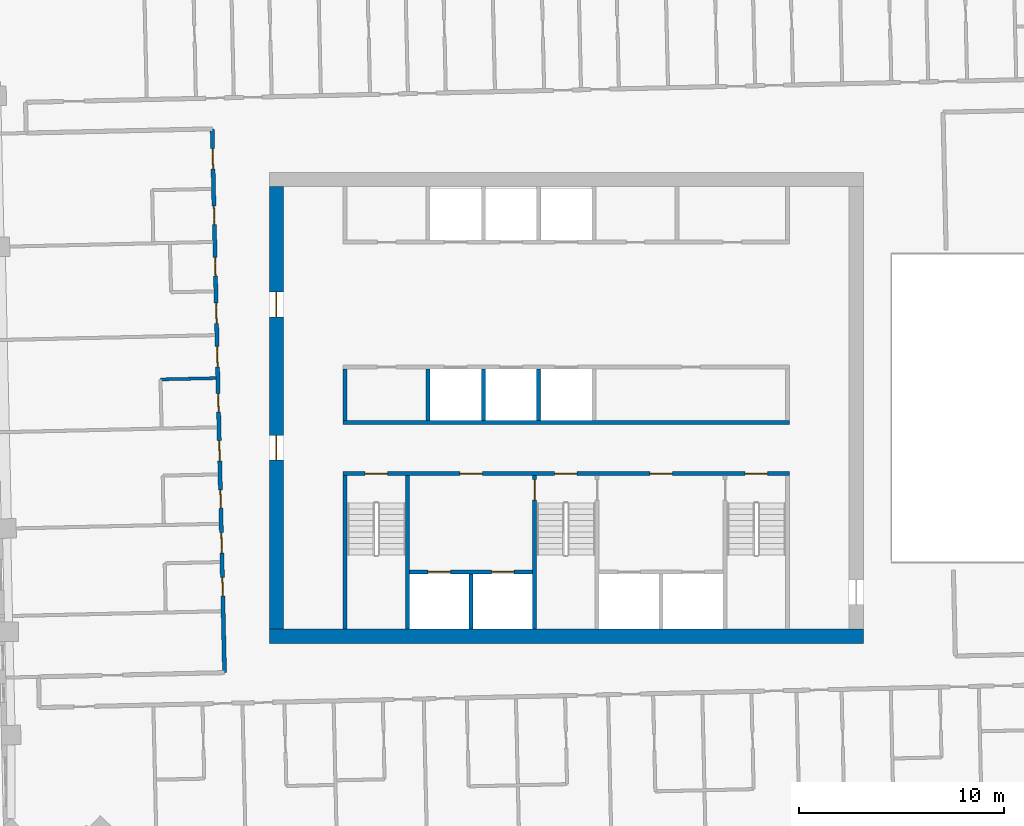
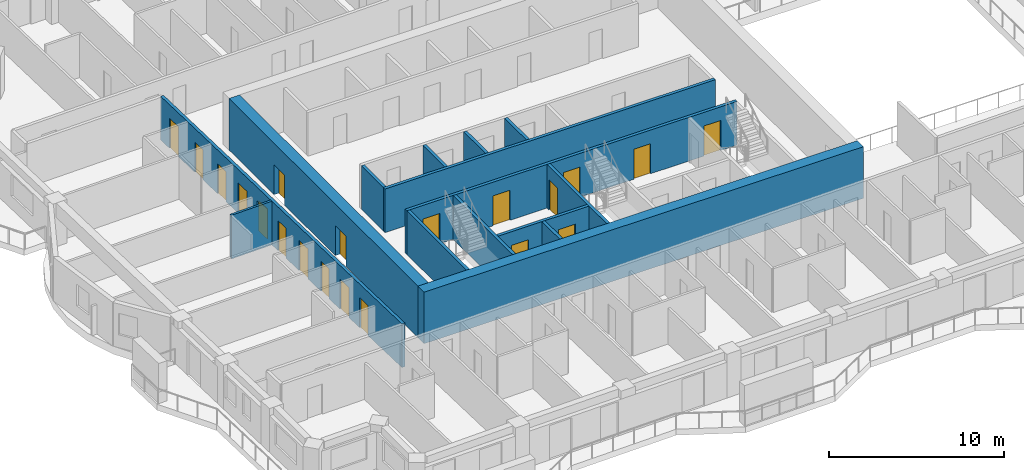
# One storey, part 9 of 19: 20 doors, 15 walls, 20 openings.
"""IFC4 building model written with IfcOpenShell, lengths in metres."""

from ifc_helpers import new_model, si_unit, direction, frame, frame_2d, origin, place, context, subcontext, project, spatial, rectangle, extrude, material, layer, layer_set, type_object, element, fill, save


model = new_model("IFC4")

# Units and contexts
model_context = context("Model", 3, precision=1e-05, world=origin(), true_north=direction((0.0, 1.0)))
body_context = subcontext(model_context, "Body", "Model", "MODEL_VIEW")
ifc_project = project(units=[si_unit("LENGTHUNIT", "METRE"), si_unit("AREAUNIT", "SQUARE_METRE"), si_unit("VOLUMEUNIT", "CUBIC_METRE"), si_unit("PLANEANGLEUNIT", "RADIAN"), si_unit("MASSUNIT", "GRAM", prefix="KILO")], contexts=[model_context])

# Site, building, storey
site_placement = place(None, origin())
site = spatial("IfcSite", under=ifc_project, at=site_placement, CompositionType="ELEMENT")
building_placement = place(site_placement, origin())
building = spatial("IfcBuilding", under=site, at=building_placement, Name="Mangrove Gate Tower", CompositionType="ELEMENT")
storey_placement = place(building_placement, frame((0.0, 0.0, 297.89990234375)))
storey = spatial("IfcBuildingStorey", under=building, at=storey_placement, Name="L76", CompositionType="ELEMENT", Elevation=297.89990234375)

# Walls
ifc_material_1 = material(Name="Concrete C32/40", Category="concrete")
ifc_layer_1 = layer(ifc_material_1, 0.199951171875)
ifc_layer_set_1 = layer_set([ifc_layer_1], Name="Core room wall 200 C32/40")
wall_type_1 = type_object("IfcWallType", Name="Core room wall 200 C32/40", PredefinedType="STANDARD", material=ifc_layer_set_1)
wall_1_placement = place(storey_placement, frame((-10.800048828125, -0.60009765625, 0.0), z_axis=(0.0, 0.0, 1.0), x_axis=(0.0, 1.0, 0.0)))
element("IfcWall", 1, at=wall_1_placement, inside=storey, type_object=wall_type_1, Name="WALL-L76-CORE-19", PredefinedType="STANDARD", context=body_context, shape_type="SweptSolid", body=[
    extrude(rectangle(XDim=2.5, YDim=0.199951171875, at=frame_2d((1.25, 0.0))), origin(), (0.0, 0.0, 1.0), 3.050048828125),
])
ifc_material_2 = material(Name="Concrete C50/60", Category="concrete")
ifc_layer_2 = layer(ifc_material_2, 0.199951171875)
ifc_layer_set_2 = layer_set([ifc_layer_2], Name="Core shaft wall 200 C50/60")
wall_type_2 = type_object("IfcWallType", Name="Core shaft wall 200 C50/60", PredefinedType="SHEAR", material=ifc_layer_set_2)
wall_2_placement = place(storey_placement, frame((-10.89990234375, -0.699951171875, 0.0), z_axis=(0.0, 0.0, 1.0), x_axis=(1.0, 0.0, 0.0)))
element("IfcWall", 2, at=wall_2_placement, inside=storey, type_object=wall_type_2, Name="WALL-L76-CORE-6", PredefinedType="SHEAR", context=body_context, shape_type="SweptSolid", body=[
    extrude(rectangle(XDim=21.7998046875, YDim=0.199951171875, at=frame_2d((10.89990234375, 0.0))), origin(), (0.0, 0.0, 1.0), 3.050048828125),
])

# Wall, openings, doors
wall_3_placement = place(storey_placement, frame((-7.64990234375, -8.0, 0.0), z_axis=(0.0, 0.0, 1.0), x_axis=(1.0, 0.0, 0.0)))
wall_3 = element("IfcWall", 3, at=wall_3_placement, inside=storey, type_object=wall_type_2, Name="WALL-L76-CORE-15", PredefinedType="SHEAR", context=body_context, shape_type="SweptSolid", body=[
    extrude(rectangle(XDim=6.0, YDim=0.199951171875, at=frame_2d((3.0, 0.0))), origin(), (0.0, 0.0, 1.0), 3.050048828125),
])
opening_1_placement = place(wall_3_placement, frame((0.89990234375, 0.0, 0.0)))
opening_1 = element("IfcOpeningElement", 4, at=opening_1_placement, cuts=wall_3, Name="Opening LD", PredefinedType="OPENING", context=body_context, shape_type="SweptSolid", body=[
    extrude(rectangle(XDim=1.10009765625, YDim=2.10009765625, at=frame_2d((0.550048828125, 1.050048828125))), frame((0.0, 0.10986328125, 0.0), z_axis=(0.0, -1.0, 0.0), x_axis=(1.0, 0.0, 0.0)), (0.0, 0.0, 1.0), 0.219970703125),
])
opening_2_placement = place(wall_3_placement, frame((4.0, 0.0, 0.0)))
opening_2 = element("IfcOpeningElement", 5, at=opening_2_placement, cuts=wall_3, Name="Opening LD", PredefinedType="OPENING", context=body_context, shape_type="SweptSolid", body=[
    extrude(rectangle(XDim=1.10009765625, YDim=2.10009765625, at=frame_2d((0.550048828125, 1.050048828125))), frame((0.0, 0.10986328125, 0.0), z_axis=(0.0, -1.0, 0.0), x_axis=(1.0, 0.0, 0.0)), (0.0, 0.0, 1.0), 0.219970703125),
])
ifc_material_3 = material(Name="Stainless steel 316", Category="steel")
door_type_1 = type_object("IfcDoorType", Name="Lift landing door 1100x2100", OperationType="SLIDING_TO_LEFT", PredefinedType="DOOR", material=ifc_material_3)
door_1_placement = place(opening_1_placement, origin())
door_1 = element("IfcDoor", 6, at=door_1_placement, inside=storey, type_object=door_type_1, Name="Landing door LD SVL1", OperationType="SLIDING_TO_LEFT", OverallHeight=2.10009765625, OverallWidth=1.10009765625, PredefinedType="DOOR", context=body_context, shape_type="SweptSolid", body=[
    extrude(rectangle(XDim=1.10009765625, YDim=2.10009765625, at=frame_2d((0.550048828125, 1.050048828125))), frame((0.0, 0.02490234375, 0.0), z_axis=(0.0, -1.0, 0.0), x_axis=(1.0, 0.0, 0.0)), (0.0, 0.0, 1.0), 0.050048828125),
])
fill(opening_1, door_1)
door_2_placement = place(opening_2_placement, origin())
door_2 = element("IfcDoor", 7, at=door_2_placement, inside=storey, type_object=door_type_1, Name="Landing door LD SVL2", OperationType="SLIDING_TO_LEFT", OverallHeight=2.10009765625, OverallWidth=1.10009765625, PredefinedType="DOOR", context=body_context, shape_type="SweptSolid", body=[
    extrude(rectangle(XDim=1.10009765625, YDim=2.10009765625, at=frame_2d((0.550048828125, 1.050048828125))), frame((0.0, 0.02490234375, 0.0), z_axis=(0.0, -1.0, 0.0), x_axis=(1.0, 0.0, 0.0)), (0.0, 0.0, 1.0), 0.050048828125),
])
fill(opening_2, door_2)

# Walls
wall_4_placement = place(storey_placement, frame((-4.64990234375, -10.800048828125, 0.0), z_axis=(0.0, 0.0, 1.0), x_axis=(0.0, 1.0, 0.0)))
element("IfcWall", 8, at=wall_4_placement, inside=storey, type_object=wall_type_2, Name="WALL-L76-CORE-16", PredefinedType="SHEAR", context=body_context, shape_type="SweptSolid", body=[
    extrude(rectangle(XDim=2.699951171875, YDim=0.199951171875, at=frame_2d((1.35009765625, 0.0))), origin(), (0.0, 0.0, 1.0), 3.050048828125),
])
for number, where, z_axis, x_axis, name in (
    (9, (-6.75, -0.60009765625, 0.0), (0.0, 0.0, 1.0), (0.0, 1.0, 0.0), "WALL-L76-CORE-20"),
    (10, (-4.050048828125, -0.60009765625, 0.0), (0.0, 0.0, 1.0), (0.0, 1.0, 0.0), "WALL-L76-CORE-21"),
    (11, (-1.35009765625, -0.60009765625, 0.0), (0.0, 0.0, 1.0), (0.0, 1.0, 0.0), "WALL-L76-CORE-22"),
):
    element("IfcWall", number, at=place(storey_placement, frame(where, z_axis=z_axis, x_axis=x_axis)), inside=storey, type_object=wall_type_2, Name=name, PredefinedType="SHEAR", context=body_context, shape_type="SweptSolid", body=[
        extrude(rectangle(XDim=2.5, YDim=0.199951171875, at=frame_2d((1.25, 0.0))), origin(), (0.0, 0.0, 1.0), 3.050048828125),
    ])

# Wall, openings, doors
ifc_material_4 = material(Name="Concrete C50/60", Category="concrete")
ifc_layer_3 = layer(ifc_material_4, 0.199951171875)
ifc_layer_set_3 = layer_set([ifc_layer_3], Name="Core stair wall 200 C50/60")
wall_type_3 = type_object("IfcWallType", Name="Core stair wall 200 C50/60", PredefinedType="SHEAR", material=ifc_layer_set_3)
wall_5_placement = place(storey_placement, frame((-10.89990234375, -3.199951171875, 0.0), z_axis=(0.0, 0.0, 1.0), x_axis=(1.0, 0.0, 0.0)))
wall_5 = element("IfcWall", 12, at=wall_5_placement, inside=storey, type_object=wall_type_3, Name="WALL-L76-CORE-5", PredefinedType="SHEAR", context=body_context, shape_type="SweptSolid", body=[
    extrude(rectangle(XDim=21.7998046875, YDim=0.199951171875, at=frame_2d((10.89990234375, 0.0))), origin(), (0.0, 0.0, 1.0), 3.050048828125),
])
opening_3_placement = place(wall_5_placement, frame((1.074951171875, 0.0, 0.0)))
opening_3 = element("IfcOpeningElement", 13, at=opening_3_placement, cuts=wall_5, Name="Opening STD11", PredefinedType="OPENING", context=body_context, shape_type="SweptSolid", body=[
    extrude(rectangle(XDim=1.10009765625, YDim=2.10009765625, at=frame_2d((0.550048828125, 1.050048828125))), frame((0.0, 0.10986328125, 0.0), z_axis=(0.0, -1.0, 0.0), x_axis=(1.0, 0.0, 0.0)), (0.0, 0.0, 1.0), 0.219970703125),
])
opening_4_placement = place(wall_5_placement, frame((10.324951171875, 0.0, 0.0)))
opening_4 = element("IfcOpeningElement", 14, at=opening_4_placement, cuts=wall_5, Name="Opening STD11", PredefinedType="OPENING", context=body_context, shape_type="SweptSolid", body=[
    extrude(rectangle(XDim=1.10009765625, YDim=2.10009765625, at=frame_2d((0.550048828125, 1.050048828125))), frame((0.0, 0.10986328125, 0.0), z_axis=(0.0, -1.0, 0.0), x_axis=(1.0, 0.0, 0.0)), (0.0, 0.0, 1.0), 0.219970703125),
])
opening_5_placement = place(wall_5_placement, frame((19.625, 0.0, 0.0)))
opening_5 = element("IfcOpeningElement", 15, at=opening_5_placement, cuts=wall_5, Name="Opening STD11", PredefinedType="OPENING", context=body_context, shape_type="SweptSolid", body=[
    extrude(rectangle(XDim=1.10009765625, YDim=2.10009765625, at=frame_2d((0.550048828125, 1.050048828125))), frame((0.0, 0.10986328125, 0.0), z_axis=(0.0, -1.0, 0.0), x_axis=(1.0, 0.0, 0.0)), (0.0, 0.0, 1.0), 0.219970703125),
])
opening_6_placement = place(wall_5_placement, frame((5.699951171875, 0.0, 0.0)))
opening_6 = element("IfcOpeningElement", 16, at=opening_6_placement, cuts=wall_5, Name="Opening FL", PredefinedType="OPENING", context=body_context, shape_type="SweptSolid", body=[
    extrude(rectangle(XDim=1.10009765625, YDim=2.10009765625, at=frame_2d((0.550048828125, 1.050048828125))), frame((0.0, 0.10986328125, 0.0), z_axis=(0.0, -1.0, 0.0), x_axis=(1.0, 0.0, 0.0)), (0.0, 0.0, 1.0), 0.219970703125),
])
opening_7_placement = place(wall_5_placement, frame((14.97509765625, 0.0, 0.0)))
opening_7 = element("IfcOpeningElement", 17, at=opening_7_placement, cuts=wall_5, Name="Opening FL", PredefinedType="OPENING", context=body_context, shape_type="SweptSolid", body=[
    extrude(rectangle(XDim=1.10009765625, YDim=2.10009765625, at=frame_2d((0.550048828125, 1.050048828125))), frame((0.0, 0.10986328125, 0.0), z_axis=(0.0, -1.0, 0.0), x_axis=(1.0, 0.0, 0.0)), (0.0, 0.0, 1.0), 0.219970703125),
])
ifc_material_5 = material(Name="Fire-rated steel door set", Category="steel")
door_type_2 = type_object("IfcDoorType", Name="Lobby door FD60 1100x2100", OperationType="SINGLE_SWING_LEFT", PredefinedType="DOOR", material=ifc_material_5)
door_3_placement = place(opening_6_placement, origin())
door_3 = element("IfcDoor", 18, at=door_3_placement, inside=storey, type_object=door_type_2, Name="Lobby door service lobby", OperationType="SINGLE_SWING_LEFT", OverallHeight=2.10009765625, OverallWidth=1.10009765625, PredefinedType="DOOR", context=body_context, shape_type="SweptSolid", body=[
    extrude(rectangle(XDim=1.10009765625, YDim=2.10009765625, at=frame_2d((0.550048828125, 1.050048828125))), frame((0.0, 0.02490234375, 0.0), z_axis=(0.0, -1.0, 0.0), x_axis=(1.0, 0.0, 0.0)), (0.0, 0.0, 1.0), 0.050048828125),
])
fill(opening_6, door_3)
door_4_placement = place(opening_7_placement, origin())
door_4 = element("IfcDoor", 19, at=door_4_placement, inside=storey, type_object=door_type_2, Name="Lobby door fire-fighting lobby", OperationType="SINGLE_SWING_LEFT", OverallHeight=2.10009765625, OverallWidth=1.10009765625, PredefinedType="DOOR", context=body_context, shape_type="SweptSolid", body=[
    extrude(rectangle(XDim=1.10009765625, YDim=2.10009765625, at=frame_2d((0.550048828125, 1.050048828125))), frame((0.0, 0.02490234375, 0.0), z_axis=(0.0, -1.0, 0.0), x_axis=(1.0, 0.0, 0.0)), (0.0, 0.0, 1.0), 0.050048828125),
])
fill(opening_7, door_4)
ifc_material_6 = material(Name="Fire-rated steel door set", Category="steel")
door_type_3 = type_object("IfcDoorType", Name="Stair door FD60 1100x2100", OperationType="SINGLE_SWING_RIGHT", PredefinedType="DOOR", material=ifc_material_6)
door_5_placement = place(opening_3_placement, origin())
door_5 = element("IfcDoor", 20, at=door_5_placement, inside=storey, type_object=door_type_3, Name="Stair door Stair 1", OperationType="SINGLE_SWING_RIGHT", OverallHeight=2.10009765625, OverallWidth=1.10009765625, PredefinedType="DOOR", context=body_context, shape_type="SweptSolid", body=[
    extrude(rectangle(XDim=1.10009765625, YDim=2.10009765625, at=frame_2d((0.550048828125, 1.050048828125))), frame((0.0, 0.02490234375, 0.0), z_axis=(0.0, -1.0, 0.0), x_axis=(1.0, 0.0, 0.0)), (0.0, 0.0, 1.0), 0.050048828125),
])
fill(opening_3, door_5)
door_6_placement = place(opening_4_placement, origin())
door_6 = element("IfcDoor", 21, at=door_6_placement, inside=storey, type_object=door_type_3, Name="Stair door Stair 2", OperationType="SINGLE_SWING_RIGHT", OverallHeight=2.10009765625, OverallWidth=1.10009765625, PredefinedType="DOOR", context=body_context, shape_type="SweptSolid", body=[
    extrude(rectangle(XDim=1.10009765625, YDim=2.10009765625, at=frame_2d((0.550048828125, 1.050048828125))), frame((0.0, 0.02490234375, 0.0), z_axis=(0.0, -1.0, 0.0), x_axis=(1.0, 0.0, 0.0)), (0.0, 0.0, 1.0), 0.050048828125),
])
fill(opening_4, door_6)
door_7_placement = place(opening_5_placement, origin())
door_7 = element("IfcDoor", 22, at=door_7_placement, inside=storey, type_object=door_type_3, Name="Stair door Stair 3", OperationType="SINGLE_SWING_RIGHT", OverallHeight=2.10009765625, OverallWidth=1.10009765625, PredefinedType="DOOR", context=body_context, shape_type="SweptSolid", body=[
    extrude(rectangle(XDim=1.10009765625, YDim=2.10009765625, at=frame_2d((0.550048828125, 1.050048828125))), frame((0.0, 0.02490234375, 0.0), z_axis=(0.0, -1.0, 0.0), x_axis=(1.0, 0.0, 0.0)), (0.0, 0.0, 1.0), 0.050048828125),
])
fill(opening_5, door_7)

# Walls
for number, where, z_axis, x_axis, name in (
    (23, (-10.800048828125, -10.800048828125, 0.0), (0.0, 0.0, 1.0), (0.0, 1.0, 0.0), "WALL-L76-CORE-9"),
    (24, (-7.75, -10.800048828125, 0.0), (0.0, 0.0, 1.0), (0.0, 1.0, 0.0), "WALL-L76-CORE-10"),
):
    element("IfcWall", number, at=place(storey_placement, frame(where, z_axis=z_axis, x_axis=x_axis)), inside=storey, type_object=wall_type_3, Name=name, PredefinedType="SHEAR", context=body_context, shape_type="SweptSolid", body=[
        extrude(rectangle(XDim=7.5, YDim=0.199951171875, at=frame_2d((3.75, 0.0))), origin(), (0.0, 0.0, 1.0), 3.050048828125),
    ])

# Wall, opening, door
wall_6_placement = place(storey_placement, frame((-1.550048828125, -10.800048828125, 0.0), z_axis=(0.0, 0.0, 1.0), x_axis=(0.0, 1.0, 0.0)))
wall_6 = element("IfcWall", 25, at=wall_6_placement, inside=storey, type_object=wall_type_3, Name="WALL-L76-CORE-11", PredefinedType="SHEAR", context=body_context, shape_type="SweptSolid", body=[
    extrude(rectangle(XDim=7.5, YDim=0.199951171875, at=frame_2d((3.75, 0.0))), origin(), (0.0, 0.0, 1.0), 3.050048828125),
])
opening_8_placement = place(wall_6_placement, frame((6.300048828125, 0.0, 0.0)))
opening_8 = element("IfcOpeningElement", 26, at=opening_8_placement, cuts=wall_6, Name="Opening STD10", PredefinedType="OPENING", context=body_context, shape_type="SweptSolid", body=[
    extrude(rectangle(XDim=1.0, YDim=2.10009765625, at=frame_2d((0.5, 1.050048828125))), frame((0.0, 0.10986328125, 0.0), z_axis=(0.0, -1.0, 0.0), x_axis=(1.0, 0.0, 0.0)), (0.0, 0.0, 1.0), 0.219970703125),
])
ifc_material_7 = material(Name="Fire-rated steel door set", Category="steel")
door_type_4 = type_object("IfcDoorType", Name="Stair door FD60 1000x2100", OperationType="SINGLE_SWING_RIGHT", PredefinedType="DOOR", material=ifc_material_7)
door_8_placement = place(opening_8_placement, origin())
door_8 = element("IfcDoor", 27, at=door_8_placement, inside=storey, type_object=door_type_4, Name="Stair door Stair 2 from service lobby", OperationType="SINGLE_SWING_RIGHT", OverallHeight=2.10009765625, OverallWidth=1.0, PredefinedType="DOOR", context=body_context, shape_type="SweptSolid", body=[
    extrude(rectangle(XDim=1.0, YDim=2.10009765625, at=frame_2d((0.5, 1.050048828125))), frame((0.0, 0.02490234375, 0.0), z_axis=(0.0, -1.0, 0.0), x_axis=(1.0, 0.0, 0.0)), (0.0, 0.0, 1.0), 0.050048828125),
])
fill(opening_8, door_8)

# Wall
ifc_material_8 = material(Name="Concrete C50/60", Category="concrete")
ifc_layer_4 = layer(ifc_material_8, 0.699951171875)
ifc_layer_set_4 = layer_set([ifc_layer_4], Name="Core wall 700 C50/60")
wall_type_4 = type_object("IfcWallType", Name="Core wall 700 C50/60", PredefinedType="SHEAR", material=ifc_layer_set_4)
wall_7_placement = place(storey_placement, frame((-14.5, -11.14990234375, 0.0), z_axis=(0.0, 0.0, 1.0), x_axis=(1.0, 0.0, 0.0)))
element("IfcWall", 28, at=wall_7_placement, inside=storey, type_object=wall_type_4, Name="WALL-L76-CORE-1", PredefinedType="SHEAR", context=body_context, shape_type="SweptSolid", body=[
    extrude(rectangle(XDim=29.0, YDim=0.699951171875, at=frame_2d((14.5, 0.0))), origin(), (0.0, 0.0, 1.0), 3.60009765625),
])

# Wall, openings, doors
wall_8_placement = place(storey_placement, frame((-14.14990234375, -10.800048828125, 0.0), z_axis=(0.0, 0.0, 1.0), x_axis=(0.0, 1.0, 0.0)))
wall_8 = element("IfcWall", 29, at=wall_8_placement, inside=storey, type_object=wall_type_4, Name="WALL-L76-CORE-3", PredefinedType="SHEAR", context=body_context, shape_type="SweptSolid", body=[
    extrude(rectangle(XDim=21.60009765625, YDim=0.699951171875, at=frame_2d((10.800048828125, 0.0))), origin(), (0.0, 0.0, 1.0), 3.60009765625),
])
opening_9_placement = place(wall_8_placement, frame((8.25, 0.0, 0.0)))
opening_9 = element("IfcOpeningElement", 30, at=opening_9_placement, cuts=wall_8, Name="Opening CD", PredefinedType="OPENING", context=body_context, shape_type="SweptSolid", body=[
    extrude(rectangle(XDim=1.199951171875, YDim=2.10009765625, at=frame_2d((0.60009765625, 1.050048828125))), frame((0.0, 0.35986328125, 0.0), z_axis=(0.0, -1.0, 0.0), x_axis=(1.0, 0.0, 0.0)), (0.0, 0.0, 1.0), 0.719970703125),
])
opening_10_placement = place(wall_8_placement, frame((15.25, 0.0, 0.0)))
opening_10 = element("IfcOpeningElement", 31, at=opening_10_placement, cuts=wall_8, Name="Opening CD", PredefinedType="OPENING", context=body_context, shape_type="SweptSolid", body=[
    extrude(rectangle(XDim=1.199951171875, YDim=2.10009765625, at=frame_2d((0.60009765625, 1.050048828125))), frame((0.0, 0.35986328125, 0.0), z_axis=(0.0, -1.0, 0.0), x_axis=(1.0, 0.0, 0.0)), (0.0, 0.0, 1.0), 0.719970703125),
])
ifc_material_9 = material(Name="Fire-rated steel door set", Category="steel")
door_type_5 = type_object("IfcDoorType", Name="Core ring door FD60 1200x2100", OperationType="DOUBLE_DOOR_SINGLE_SWING", PredefinedType="DOOR", material=ifc_material_9)
door_9_placement = place(opening_9_placement, origin())
door_9 = element("IfcDoor", 32, at=door_9_placement, inside=storey, type_object=door_type_5, Name="Core ring door W1", OperationType="DOUBLE_DOOR_SINGLE_SWING", OverallHeight=2.10009765625, OverallWidth=1.199951171875, PredefinedType="DOOR", context=body_context, shape_type="SweptSolid", body=[
    extrude(rectangle(XDim=1.199951171875, YDim=2.10009765625, at=frame_2d((0.60009765625, 1.050048828125))), frame((0.0, 0.02490234375, 0.0), z_axis=(0.0, -1.0, 0.0), x_axis=(1.0, 0.0, 0.0)), (0.0, 0.0, 1.0), 0.050048828125),
])
fill(opening_9, door_9)
door_10_placement = place(opening_10_placement, origin())
door_10 = element("IfcDoor", 33, at=door_10_placement, inside=storey, type_object=door_type_5, Name="Core ring door W2", OperationType="DOUBLE_DOOR_SINGLE_SWING", OverallHeight=2.10009765625, OverallWidth=1.199951171875, PredefinedType="DOOR", context=body_context, shape_type="SweptSolid", body=[
    extrude(rectangle(XDim=1.199951171875, YDim=2.10009765625, at=frame_2d((0.60009765625, 1.050048828125))), frame((0.0, 0.02490234375, 0.0), z_axis=(0.0, -1.0, 0.0), x_axis=(1.0, 0.0, 0.0)), (0.0, 0.0, 1.0), 0.050048828125),
])
fill(opening_10, door_10)

ifc_material_10 = material(Name="Gypsum board on steel stud, EI 60", Category="steel")
ifc_layer_5 = layer(ifc_material_10, 0.199951171875)
ifc_layer_set_5 = layer_set([ifc_layer_5], Name="Corridor wall EI 60")
wall_type_5 = type_object("IfcWallType", Name="Corridor wall EI 60", PredefinedType="PARTITIONING", material=ifc_layer_set_5)
wall_9_placement = place(storey_placement, frame((-16.68408203125, -12.9189453125, 0.0), z_axis=(0.0, 0.0, 1.0), x_axis=(-0.022712214871, 0.999742044377, 0.0)))
wall_9 = element("IfcWall", 34, at=wall_9_placement, inside=storey, type_object=wall_type_5, Name="WALL-L76-034", PredefinedType="PARTITIONING", context=body_context, shape_type="SweptSolid", body=[
    extrude(rectangle(XDim=26.55078125, YDim=0.199951171875, at=frame_2d((13.275390625, 0.0))), origin(), (0.0, 0.0, 1.0), 3.050048828125),
])
opening_11_placement = place(wall_9_placement, frame((24.587890625, 0.0, 0.0)))
opening_11 = element("IfcOpeningElement", 35, at=opening_11_placement, cuts=wall_9, Name="Opening AD", PredefinedType="OPENING", context=body_context, shape_type="SweptSolid", body=[
    extrude(rectangle(XDim=1.0, YDim=2.10009765625, at=frame_2d((0.5, 1.050048828125))), frame((0.0, 0.10986328125, 0.0), z_axis=(0.0, -1.0, 0.0), x_axis=(1.0, 0.0, 0.0)), (0.0, 0.0, 1.0), 0.219970703125),
])
opening_12_placement = place(wall_9_placement, frame((21.875, 0.0, 0.0)))
opening_12 = element("IfcOpeningElement", 36, at=opening_12_placement, cuts=wall_9, Name="Opening SD", PredefinedType="OPENING", context=body_context, shape_type="SweptSolid", body=[
    extrude(rectangle(XDim=0.89990234375, YDim=2.10009765625, at=frame_2d((0.449951171875, 1.050048828125))), frame((0.0, 0.10986328125, 0.0), z_axis=(0.0, -1.0, 0.0), x_axis=(1.0, 0.0, 0.0)), (0.0, 0.0, 1.0), 0.219970703125),
])
opening_13_placement = place(wall_9_placement, frame((17.050048828125, 0.0, 0.0)))
opening_13 = element("IfcOpeningElement", 37, at=opening_13_placement, cuts=wall_9, Name="Opening AD", PredefinedType="OPENING", context=body_context, shape_type="SweptSolid", body=[
    extrude(rectangle(XDim=1.0, YDim=2.10009765625, at=frame_2d((0.5, 1.050048828125))), frame((0.0, 0.10986328125, 0.0), z_axis=(0.0, -1.0, 0.0), x_axis=(1.0, 0.0, 0.0)), (0.0, 0.0, 1.0), 0.219970703125),
])
opening_14_placement = place(wall_9_placement, frame((19.375, 0.0, 0.0)))
opening_14 = element("IfcOpeningElement", 38, at=opening_14_placement, cuts=wall_9, Name="Opening SD", PredefinedType="OPENING", context=body_context, shape_type="SweptSolid", body=[
    extrude(rectangle(XDim=0.89990234375, YDim=2.10009765625, at=frame_2d((0.449951171875, 1.050048828125))), frame((0.0, 0.10986328125, 0.0), z_axis=(0.0, -1.0, 0.0), x_axis=(1.0, 0.0, 0.0)), (0.0, 0.0, 1.0), 0.219970703125),
])
opening_15_placement = place(wall_9_placement, frame((14.925048828125, 0.0, 0.0)))
opening_15 = element("IfcOpeningElement", 39, at=opening_15_placement, cuts=wall_9, Name="Opening AD", PredefinedType="OPENING", context=body_context, shape_type="SweptSolid", body=[
    extrude(rectangle(XDim=1.0, YDim=2.10009765625, at=frame_2d((0.5, 1.050048828125))), frame((0.0, 0.10986328125, 0.0), z_axis=(0.0, -1.0, 0.0), x_axis=(1.0, 0.0, 0.0)), (0.0, 0.0, 1.0), 0.219970703125),
])
opening_16_placement = place(wall_9_placement, frame((12.72509765625, 0.0, 0.0)))
opening_16 = element("IfcOpeningElement", 40, at=opening_16_placement, cuts=wall_9, Name="Opening SD", PredefinedType="OPENING", context=body_context, shape_type="SweptSolid", body=[
    extrude(rectangle(XDim=0.89990234375, YDim=2.10009765625, at=frame_2d((0.449951171875, 1.050048828125))), frame((0.0, 0.10986328125, 0.0), z_axis=(0.0, -1.0, 0.0), x_axis=(1.0, 0.0, 0.0)), (0.0, 0.0, 1.0), 0.219970703125),
])
opening_17_placement = place(wall_9_placement, frame((10.324951171875, 0.0, 0.0)))
opening_17 = element("IfcOpeningElement", 41, at=opening_17_placement, cuts=wall_9, Name="Opening AD", PredefinedType="OPENING", context=body_context, shape_type="SweptSolid", body=[
    extrude(rectangle(XDim=1.0, YDim=2.10009765625, at=frame_2d((0.5, 1.050048828125))), frame((0.0, 0.10986328125, 0.0), z_axis=(0.0, -1.0, 0.0), x_axis=(1.0, 0.0, 0.0)), (0.0, 0.0, 1.0), 0.219970703125),
])
opening_18_placement = place(wall_9_placement, frame((8.02490234375, 0.0, 0.0)))
opening_18 = element("IfcOpeningElement", 42, at=opening_18_placement, cuts=wall_9, Name="Opening SD", PredefinedType="OPENING", context=body_context, shape_type="SweptSolid", body=[
    extrude(rectangle(XDim=0.89990234375, YDim=2.10009765625, at=frame_2d((0.449951171875, 1.050048828125))), frame((0.0, 0.10986328125, 0.0), z_axis=(0.0, -1.0, 0.0), x_axis=(1.0, 0.0, 0.0)), (0.0, 0.0, 1.0), 0.219970703125),
])
opening_19_placement = place(wall_9_placement, frame((5.8369140625, 0.0, 0.0)))
opening_19 = element("IfcOpeningElement", 43, at=opening_19_placement, cuts=wall_9, Name="Opening AD", PredefinedType="OPENING", context=body_context, shape_type="SweptSolid", body=[
    extrude(rectangle(XDim=1.0, YDim=2.10009765625, at=frame_2d((0.5, 1.050048828125))), frame((0.0, 0.10986328125, 0.0), z_axis=(0.0, -1.0, 0.0), x_axis=(1.0, 0.0, 0.0)), (0.0, 0.0, 1.0), 0.219970703125),
])
opening_20_placement = place(wall_9_placement, frame((3.75, 0.0, 0.0)))
opening_20 = element("IfcOpeningElement", 44, at=opening_20_placement, cuts=wall_9, Name="Opening SD", PredefinedType="OPENING", context=body_context, shape_type="SweptSolid", body=[
    extrude(rectangle(XDim=0.89990234375, YDim=2.10009765625, at=frame_2d((0.449951171875, 1.050048828125))), frame((0.0, 0.10986328125, 0.0), z_axis=(0.0, -1.0, 0.0), x_axis=(1.0, 0.0, 0.0)), (0.0, 0.0, 1.0), 0.219970703125),
])
ifc_material_11 = material(Name="Timber door leaf", Category="wood")
door_type_6 = type_object("IfcDoorType", Name="Amenity door 1000", OperationType="SINGLE_SWING_LEFT", PredefinedType="DOOR", material=ifc_material_11)
door_11_placement = place(opening_11_placement, origin())
door_11 = element("IfcDoor", 45, at=door_11_placement, inside=storey, type_object=door_type_6, Name="DOOR-L76-KIT-c5a", OperationType="SINGLE_SWING_LEFT", OverallHeight=2.10009765625, OverallWidth=1.0, PredefinedType="DOOR", context=body_context, shape_type="SweptSolid", body=[
    extrude(rectangle(XDim=1.0, YDim=2.10009765625, at=frame_2d((0.5, 1.050048828125))), frame((0.0, 0.02490234375, 0.0), z_axis=(0.0, -1.0, 0.0), x_axis=(1.0, 0.0, 0.0)), (0.0, 0.0, 1.0), 0.050048828125),
])
fill(opening_11, door_11)
door_12_placement = place(opening_13_placement, origin())
door_12 = element("IfcDoor", 46, at=door_12_placement, inside=storey, type_object=door_type_6, Name="DOOR-L76-KIT-c5b", OperationType="SINGLE_SWING_RIGHT", OverallHeight=2.10009765625, OverallWidth=1.0, PredefinedType="DOOR", context=body_context, shape_type="SweptSolid", body=[
    extrude(rectangle(XDim=1.0, YDim=2.10009765625, at=frame_2d((0.5, 1.050048828125))), frame((0.0, 0.02490234375, 0.0), z_axis=(0.0, -1.0, 0.0), x_axis=(1.0, 0.0, 0.0)), (0.0, 0.0, 1.0), 0.050048828125),
])
fill(opening_13, door_12)
door_13_placement = place(opening_15_placement, origin())
door_13 = element("IfcDoor", 47, at=door_13_placement, inside=storey, type_object=door_type_6, Name="DOOR-L76-KIT-c5c", OperationType="SINGLE_SWING_LEFT", OverallHeight=2.10009765625, OverallWidth=1.0, PredefinedType="DOOR", context=body_context, shape_type="SweptSolid", body=[
    extrude(rectangle(XDim=1.0, YDim=2.10009765625, at=frame_2d((0.5, 1.050048828125))), frame((0.0, 0.02490234375, 0.0), z_axis=(0.0, -1.0, 0.0), x_axis=(1.0, 0.0, 0.0)), (0.0, 0.0, 1.0), 0.050048828125),
])
fill(opening_15, door_13)
door_14_placement = place(opening_17_placement, origin())
door_14 = element("IfcDoor", 48, at=door_14_placement, inside=storey, type_object=door_type_6, Name="DOOR-L76-GAM-c5a", OperationType="SINGLE_SWING_RIGHT", OverallHeight=2.10009765625, OverallWidth=1.0, PredefinedType="DOOR", context=body_context, shape_type="SweptSolid", body=[
    extrude(rectangle(XDim=1.0, YDim=2.10009765625, at=frame_2d((0.5, 1.050048828125))), frame((0.0, 0.02490234375, 0.0), z_axis=(0.0, -1.0, 0.0), x_axis=(1.0, 0.0, 0.0)), (0.0, 0.0, 1.0), 0.050048828125),
])
fill(opening_17, door_14)
door_15_placement = place(opening_19_placement, origin())
door_15 = element("IfcDoor", 49, at=door_15_placement, inside=storey, type_object=door_type_6, Name="DOOR-L76-LNG-c5a", OperationType="SINGLE_SWING_LEFT", OverallHeight=2.10009765625, OverallWidth=1.0, PredefinedType="DOOR", context=body_context, shape_type="SweptSolid", body=[
    extrude(rectangle(XDim=1.0, YDim=2.10009765625, at=frame_2d((0.5, 1.050048828125))), frame((0.0, 0.02490234375, 0.0), z_axis=(0.0, -1.0, 0.0), x_axis=(1.0, 0.0, 0.0)), (0.0, 0.0, 1.0), 0.050048828125),
])
fill(opening_19, door_15)
ifc_material_12 = material(Name="Timber door leaf", Category="wood")
door_type_7 = type_object("IfcDoorType", Name="Service room door 900", OperationType="SINGLE_SWING_LEFT", PredefinedType="DOOR", material=ifc_material_12)
door_16_placement = place(opening_12_placement, origin())
door_16 = element("IfcDoor", 50, at=door_16_placement, inside=storey, type_object=door_type_7, Name="DOOR-L76-AWC-c5a", OperationType="SINGLE_SWING_LEFT", OverallHeight=2.10009765625, OverallWidth=0.89990234375, PredefinedType="DOOR", context=body_context, shape_type="SweptSolid", body=[
    extrude(rectangle(XDim=0.89990234375, YDim=2.10009765625, at=frame_2d((0.449951171875, 1.050048828125))), frame((0.0, 0.02490234375, 0.0), z_axis=(0.0, -1.0, 0.0), x_axis=(1.0, 0.0, 0.0)), (0.0, 0.0, 1.0), 0.050048828125),
])
fill(opening_12, door_16)
door_17_placement = place(opening_14_placement, origin())
door_17 = element("IfcDoor", 51, at=door_17_placement, inside=storey, type_object=door_type_7, Name="DOOR-L76-LIN-c5a", OperationType="SINGLE_SWING_RIGHT", OverallHeight=2.10009765625, OverallWidth=0.89990234375, PredefinedType="DOOR", context=body_context, shape_type="SweptSolid", body=[
    extrude(rectangle(XDim=0.89990234375, YDim=2.10009765625, at=frame_2d((0.449951171875, 1.050048828125))), frame((0.0, 0.02490234375, 0.0), z_axis=(0.0, -1.0, 0.0), x_axis=(1.0, 0.0, 0.0)), (0.0, 0.0, 1.0), 0.050048828125),
])
fill(opening_14, door_17)
door_18_placement = place(opening_16_placement, origin())
door_18 = element("IfcDoor", 52, at=door_18_placement, inside=storey, type_object=door_type_7, Name="DOOR-L76-WC-c5a", OperationType="SINGLE_SWING_LEFT", OverallHeight=2.10009765625, OverallWidth=0.89990234375, PredefinedType="DOOR", context=body_context, shape_type="SweptSolid", body=[
    extrude(rectangle(XDim=0.89990234375, YDim=2.10009765625, at=frame_2d((0.449951171875, 1.050048828125))), frame((0.0, 0.02490234375, 0.0), z_axis=(0.0, -1.0, 0.0), x_axis=(1.0, 0.0, 0.0)), (0.0, 0.0, 1.0), 0.050048828125),
])
fill(opening_16, door_18)
door_19_placement = place(opening_18_placement, origin())
door_19 = element("IfcDoor", 53, at=door_19_placement, inside=storey, type_object=door_type_7, Name="DOOR-L76-WC-c5b", OperationType="SINGLE_SWING_RIGHT", OverallHeight=2.10009765625, OverallWidth=0.89990234375, PredefinedType="DOOR", context=body_context, shape_type="SweptSolid", body=[
    extrude(rectangle(XDim=0.89990234375, YDim=2.10009765625, at=frame_2d((0.449951171875, 1.050048828125))), frame((0.0, 0.02490234375, 0.0), z_axis=(0.0, -1.0, 0.0), x_axis=(1.0, 0.0, 0.0)), (0.0, 0.0, 1.0), 0.050048828125),
])
fill(opening_18, door_19)
door_20_placement = place(opening_20_placement, origin())
door_20 = element("IfcDoor", 54, at=door_20_placement, inside=storey, type_object=door_type_7, Name="DOOR-L76-WC-c5c", OperationType="SINGLE_SWING_LEFT", OverallHeight=2.10009765625, OverallWidth=0.89990234375, PredefinedType="DOOR", context=body_context, shape_type="SweptSolid", body=[
    extrude(rectangle(XDim=0.89990234375, YDim=2.10009765625, at=frame_2d((0.449951171875, 1.050048828125))), frame((0.0, 0.02490234375, 0.0), z_axis=(0.0, -1.0, 0.0), x_axis=(1.0, 0.0, 0.0)), (0.0, 0.0, 1.0), 0.050048828125),
])
fill(opening_20, door_20)

# Wall
ifc_material_13 = material(Name="Gypsum board on steel stud, EI 60", Category="steel")
ifc_layer_6 = layer(ifc_material_13, 0.14990234375)
ifc_layer_set_6 = layer_set([ifc_layer_6], Name="Party wall 150 EI 60")
wall_type_6 = type_object("IfcWallType", Name="Party wall 150 EI 60", PredefinedType="PARTITIONING", material=ifc_layer_set_6)
wall_10_placement = place(storey_placement, frame((-19.804931640625, 1.39404296875, 0.0), z_axis=(0.0, 0.0, 1.0), x_axis=(0.999736346258, 0.022961663075, 0.0)))
element("IfcWall", 55, at=wall_10_placement, inside=storey, type_object=wall_type_6, Name="WALL-L76-046", PredefinedType="PARTITIONING", context=body_context, shape_type="SweptSolid", body=[
    extrude(rectangle(XDim=2.70068359375, YDim=0.14990234375, at=frame_2d((1.350341796875, 0.0))), origin(), (0.0, 0.0, 1.0), 3.050048828125),
])

save(model, "model.ifc")
